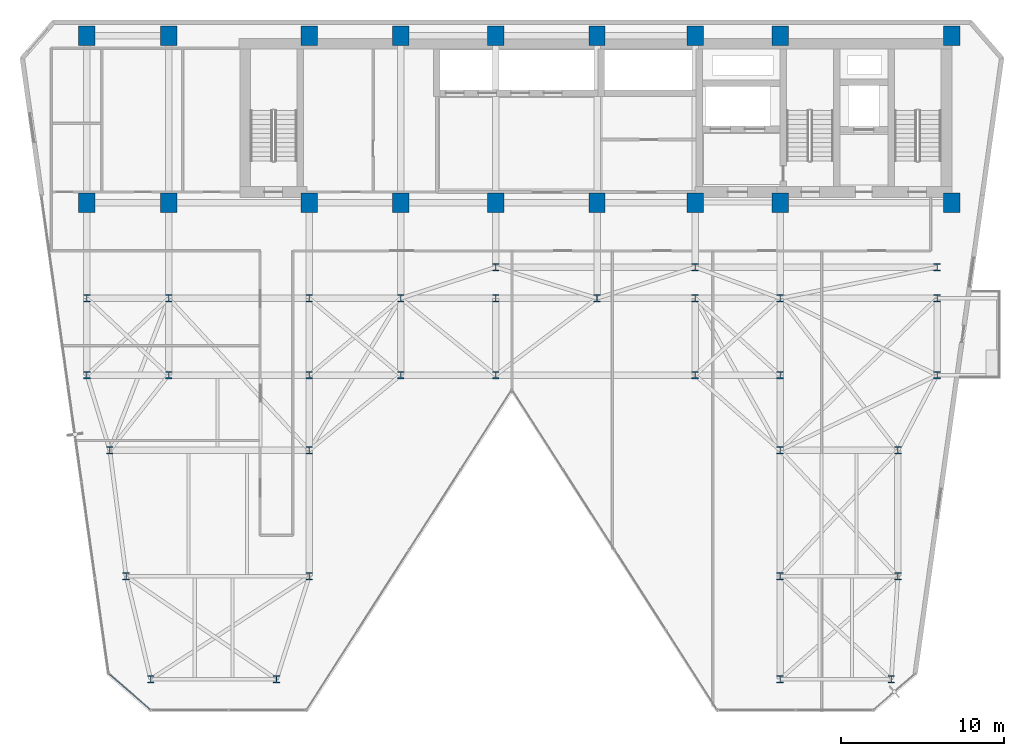
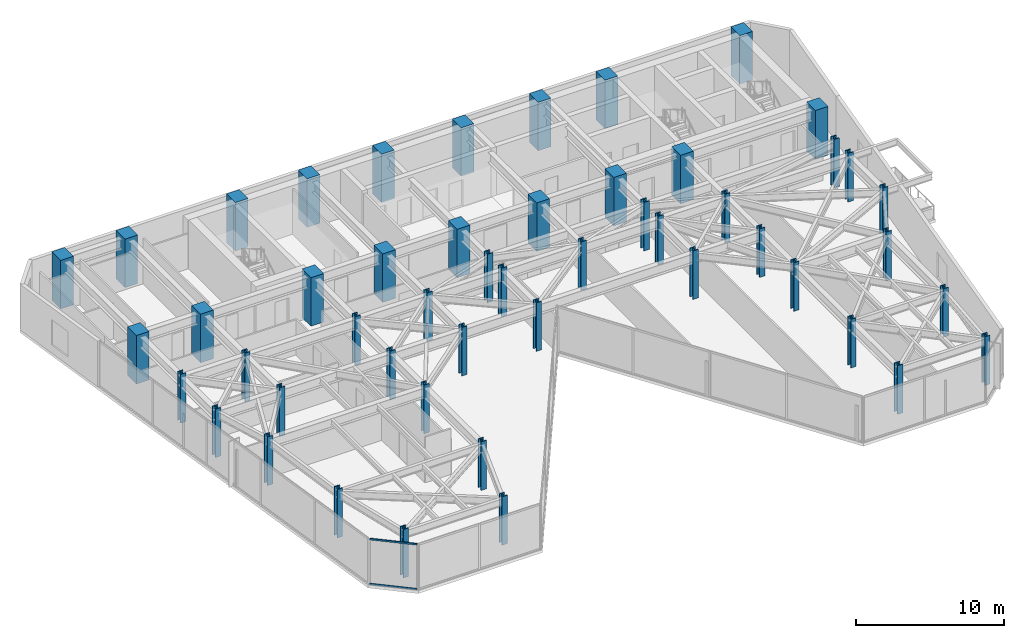
# One storey, part 1 of 26: 50 columns, 2 members, 1 element without a shape of its own.
"""IFC4 building model written with IfcOpenShell, lengths in metres."""

from ifc_helpers import new_model, si_unit, direction, frame, origin, origin_2d, place, context, subcontext, project, spatial, rectangle, hollow_rectangle, i_section, extrude, material, layer, layer_set, material_profile, profile_set, type_object, element, aggregate, save


model = new_model("IFC4")

# Units and contexts
model_context = context("Model", 3, precision=1e-05, world=origin(), true_north=direction((0.0, 1.0)))
body_context = subcontext(model_context, "Body", "Model", "MODEL_VIEW")
ifc_project = project(units=[si_unit("LENGTHUNIT", "METRE"), si_unit("AREAUNIT", "SQUARE_METRE"), si_unit("VOLUMEUNIT", "CUBIC_METRE"), si_unit("PLANEANGLEUNIT", "RADIAN"), si_unit("MASSUNIT", "GRAM", prefix="KILO")], contexts=[model_context])

# Site, building, storey
site_placement = place(None, origin())
site = spatial("IfcSite", under=ifc_project, at=site_placement, CompositionType="ELEMENT")
building_placement = place(site_placement, origin())
building = spatial("IfcBuilding", under=site, at=building_placement, Name="Kravanh Interchange Tower", CompositionType="ELEMENT")
storey_placement = place(building_placement, frame((0.0, 0.0, 140.0)))
storey = spatial("IfcBuildingStorey", under=building, at=storey_placement, Name="L33", CompositionType="ELEMENT", Elevation=140.0)

# Columns
ifc_material_1 = material(Name="Concrete C70/85", Category="concrete")
ifc_material_profile_1 = material_profile(ifc_material_1, rectangle(XDim=1.0, YDim=1.199951171875, at=origin_2d()), Name="RC1000X1200")
ifc_profile_set_1 = profile_set([ifc_material_profile_1], Name="Concrete C70/85")
column_type_1 = type_object("IfcColumnType", Name="Column RC1000X1200 Concrete C70/85", PredefinedType="COLUMN", material=ifc_profile_set_1)
for number, where, z_axis, x_axis, name in (
    (1, (66.5, 47.550048828125, 0.0), (0.0, 0.0, 1.0), (1.0, 0.0, 0.0), "L33 Column CS01"),
    (2, (56.0, 47.550048828125, 0.0), (0.0, 0.0, 1.0), (1.0, 0.0, 0.0), "L33 Column CS02"),
    (3, (66.5, 37.35009765625, 0.0), (0.0, 0.0, 1.0), (1.0, 0.0, 0.0), "L33 Column CS03"),
    (4, (56.0, 37.35009765625, 0.0), (0.0, 0.0, 1.0), (1.0, 0.0, 0.0), "L33 Column CS04"),
    (5, (50.800048828125, 47.550048828125, 0.0), (0.0, 0.0, 1.0), (1.0, 0.0, 0.0), "L33 Column CS05"),
    (6, (50.800048828125, 37.35009765625, 0.0), (0.0, 0.0, 1.0), (1.0, 0.0, 0.0), "L33 Column CS06"),
    (7, (44.800048828125, 37.35009765625, 0.0), (0.0, 0.0, 1.0), (1.0, 0.0, 0.0), "L33 Column CS07"),
    (8, (44.800048828125, 47.550048828125, 0.0), (0.0, 0.0, 1.0), (1.0, 0.0, 0.0), "L33 Column CS08"),
    (9, (38.60009765625, 37.35009765625, 0.0), (0.0, 0.0, 1.0), (1.0, 0.0, 0.0), "L33 Column CS09"),
    (10, (38.60009765625, 47.550048828125, 0.0), (0.0, 0.0, 1.0), (1.0, 0.0, 0.0), "L33 Column CS10"),
    (11, (32.800048828125, 37.35009765625, 0.0), (0.0, 0.0, 1.0), (1.0, 0.0, 0.0), "L33 Column CS11"),
    (12, (32.800048828125, 47.550048828125, 0.0), (0.0, 0.0, 1.0), (1.0, 0.0, 0.0), "L33 Column CS12"),
    (13, (27.199951171875, 37.35009765625, 0.0), (0.0, 0.0, 1.0), (1.0, 0.0, 0.0), "L33 Column CS13"),
    (14, (27.199951171875, 47.550048828125, 0.0), (0.0, 0.0, 1.0), (1.0, 0.0, 0.0), "L33 Column CS14"),
    (15, (18.60009765625, 37.35009765625, 0.0), (0.0, 0.0, 1.0), (1.0, 0.0, 0.0), "L33 Column CS17"),
    (16, (18.60009765625, 47.550048828125, 0.0), (0.0, 0.0, 1.0), (1.0, 0.0, 0.0), "L33 Column CS18"),
    (17, (13.60009765625, 37.35009765625, 0.0), (0.0, 0.0, 1.0), (1.0, 0.0, 0.0), "L33 Column CS19"),
    (18, (13.60009765625, 47.550048828125, 0.0), (0.0, 0.0, 1.0), (1.0, 0.0, 0.0), "L33 Column CS20"),
):
    element("IfcColumn", number, at=place(storey_placement, frame(where, z_axis=z_axis, x_axis=x_axis)), inside=storey, type_object=column_type_1, Name=name, PredefinedType="COLUMN", context=body_context, shape_type="SweptSolid", body=[
        extrude(rectangle(XDim=1.0, YDim=1.199951171875, at=origin_2d()), origin(), (0.0, 0.0, 1.0), 4.0),
    ])
ifc_material_2 = material(Name="Structural Steel S355", Category="steel")
ifc_material_profile_2 = material_profile(ifc_material_2, i_section(OverallWidth=0.416015625, OverallDepth=0.446044921875, WebThickness=0.0390625, FlangeThickness=0.062744140625, FilletRadius=0.030029296875, at=origin_2d()), Name="W14X342")
ifc_profile_set_2 = profile_set([ifc_material_profile_2], Name="Structural Steel S355")
column_type_2 = type_object("IfcColumnType", Name="Column W14X342 Structural Steel S355", PredefinedType="COLUMN", material=ifc_profile_set_2)
for number, where, z_axis, x_axis, name in (
    (19, (17.5, 8.199951171875, 0.0), (0.0, 0.0, 1.0), (1.0, 0.0, 0.0), "L33 Column CZ2_1"),
    (20, (13.60009765625, 26.800048828125, 0.0), (0.0, 0.0, 1.0), (1.0, 0.0, 0.0), "L33 Column CZ2_11"),
    (21, (18.60009765625, 26.800048828125, 0.0), (0.0, 0.0, 1.0), (1.0, 0.0, 0.0), "L33 Column CZ2_12"),
    (22, (27.199951171875, 26.800048828125, 0.0), (0.0, 0.0, 1.0), (1.0, 0.0, 0.0), "L33 Column CZ2_13"),
    (23, (32.800048828125, 26.800048828125, 0.0), (0.0, 0.0, 1.0), (1.0, 0.0, 0.0), "L33 Column CZ2_14"),
    (24, (38.60009765625, 26.800048828125, 0.0), (0.0, 0.0, 1.0), (1.0, 0.0, 0.0), "L33 Column CZ2_14B"),
    (25, (50.800048828125, 26.800048828125, 0.0), (0.0, 0.0, 1.0), (1.0, 0.0, 0.0), "L33 Column CZ2_15"),
    (26, (56.0, 26.800048828125, 0.0), (0.0, 0.0, 1.0), (1.0, 0.0, 0.0), "L33 Column CZ2_16"),
    (27, (65.60009765625, 26.800048828125, 0.0), (0.0, 0.0, 1.0), (1.0, 0.0, 0.0), "L33 Column CZ2_17"),
    (28, (13.60009765625, 31.5, 0.0), (0.0, 0.0, 1.0), (1.0, 0.0, 0.0), "L33 Column CZ2_18"),
    (29, (18.60009765625, 31.5, 0.0), (0.0, 0.0, 1.0), (1.0, 0.0, 0.0), "L33 Column CZ2_18B"),
    (30, (27.199951171875, 31.5, 0.0), (0.0, 0.0, 1.0), (1.0, 0.0, 0.0), "L33 Column CZ2_19"),
    (31, (25.199951171875, 8.199951171875, 0.0), (0.0, 0.0, 1.0), (1.0, 0.0, 0.0), "L33 Column CZ2_2"),
    (32, (32.800048828125, 31.5, 0.0), (0.0, 0.0, 1.0), (1.0, 0.0, 0.0), "L33 Column CZ2_20"),
    (33, (38.60009765625, 31.5, 0.0), (0.0, 0.0, 1.0), (1.0, 0.0, 0.0), "L33 Column CZ2_21"),
    (34, (44.800048828125, 31.5, 0.0), (0.0, 0.0, 1.0), (1.0, 0.0, 0.0), "L33 Column CZ2_22"),
    (35, (50.800048828125, 31.5, 0.0), (0.0, 0.0, 1.0), (1.0, 0.0, 0.0), "L33 Column CZ2_23"),
    (36, (56.0, 31.5, 0.0), (0.0, 0.0, 1.0), (1.0, 0.0, 0.0), "L33 Column CZ2_24"),
    (37, (65.60009765625, 31.5, 0.0), (0.0, 0.0, 1.0), (1.0, 0.0, 0.0), "L33 Column CZ2_25"),
    (38, (56.0, 8.199951171875, 0.0), (0.0, 0.0, 1.0), (1.0, 0.0, 0.0), "L33 Column CZ2_3"),
    (39, (62.800048828125, 8.199951171875, 0.0), (0.0, 0.0, 1.0), (1.0, 0.0, 0.0), "L33 Column CZ2_4"),
    (40, (16.0, 14.5, 0.0), (0.0, 0.0, 1.0), (1.0, 0.0, 0.0), "L33 Column CZ2_5"),
    (41, (27.199951171875, 14.5, 0.0), (0.0, 0.0, 1.0), (1.0, 0.0, 0.0), "L33 Column CZ2_5B"),
    (42, (56.0, 14.5, 0.0), (0.0, 0.0, 1.0), (1.0, 0.0, 0.0), "L33 Column CZ2_5C"),
    (43, (63.199951171875, 14.5, 0.0), (0.0, 0.0, 1.0), (1.0, 0.0, 0.0), "L33 Column CZ2_5D"),
    (44, (15.0, 22.199951171875, 0.0), (0.0, 0.0, 1.0), (1.0, 0.0, 0.0), "L33 Column CZ2_6"),
    (45, (27.199951171875, 22.199951171875, 0.0), (0.0, 0.0, 1.0), (1.0, 0.0, 0.0), "L33 Column CZ2_7"),
    (46, (56.0, 22.199951171875, 0.0), (0.0, 0.0, 1.0), (1.0, 0.0, 0.0), "L33 Column CZ2_8"),
    (47, (63.199951171875, 22.199951171875, 0.0), (0.0, 0.0, 1.0), (1.0, 0.0, 0.0), "L33 Column CZ2_9"),
    (48, (38.60009765625, 33.39990234375, 0.0), (0.0, 0.0, 1.0), (1.0, 0.0, 0.0), "L33 Column CZ2_M1"),
    (49, (50.800048828125, 33.39990234375, 0.0), (0.0, 0.0, 1.0), (1.0, 0.0, 0.0), "L33 Column CZ2_M2"),
    (50, (65.60009765625, 33.39990234375, 0.0), (0.0, 0.0, 1.0), (1.0, 0.0, 0.0), "L33 Column CZ2_M3"),
):
    element("IfcColumn", number, at=place(storey_placement, frame(where, z_axis=z_axis, x_axis=x_axis)), inside=storey, type_object=column_type_2, Name=name, PredefinedType="COLUMN", context=body_context, shape_type="SweptSolid", body=[
        extrude(i_section(OverallWidth=0.416015625, OverallDepth=0.446044921875, WebThickness=0.0390625, FlangeThickness=0.062744140625, FilletRadius=0.030029296875, at=origin_2d()), origin(), (0.0, 0.0, 1.0), 4.0),
    ])

# Curtain wall, members
ifc_material_3 = material(Name="Anodised Bronze Aluminium", Category="aluminium")
ifc_layer = layer(ifc_material_3, 0.179931640625)
ifc_layer_set = layer_set([ifc_layer], Name="Unitised Curtain Wall System CW-Z2 Mid Office")
curtain_wall_type = type_object("IfcCurtainWallType", Name="Unitised Curtain Wall System CW-Z2 Mid Office", PredefinedType="NOTDEFINED", material=ifc_layer_set)
curtain_wall_placement = place(storey_placement, origin())
curtain_wall = element("IfcCurtainWall", 51, at=curtain_wall_placement, inside=storey, type_object=curtain_wall_type, Name="L33 Unitised Curtain Wall CW-L33-07", PredefinedType="NOTDEFINED")
ifc_material_4 = material(Name="Anodised Bronze Aluminium", Category="aluminium")
ifc_material_profile_3 = material_profile(ifc_material_4, hollow_rectangle(XDim=0.06005859375, YDim=0.139892578125, WallThickness=0.00390625, at=origin_2d()), Name="ALU60X140X4")
ifc_profile_set_3 = profile_set([ifc_material_profile_3], Name="Anodised Bronze Aluminium")
member_type = type_object("IfcMemberType", Name="Curtain Wall Transom ALU60X140X4 Bronze", PredefinedType="USERDEFINED", material=ifc_profile_set_3)
member_1_placement = place(storey_placement, frame((17.444580078125, 6.359375, 0.030029296875), z_axis=(-0.754742467432, 0.656021194669, 0.0), x_axis=(-0.656021194669, -0.754742467432, 0.0)))
member_1 = element("IfcMember", 52, at=member_1_placement, type_object=member_type, Name="CW-Z2 transom 1.1", ObjectType="TRANSOM", PredefinedType="USERDEFINED", context=body_context, shape_type="SweptSolid", body=[
    extrude(hollow_rectangle(XDim=0.06005859375, YDim=0.139892578125, WallThickness=0.00390625, at=origin_2d()), origin(), (0.0, 0.0, 1.0), 3.261962890625),
])
member_2_placement = place(storey_placement, frame((17.444580078125, 6.359375, 3.719970703125), z_axis=(-0.754742467432, 0.656021194669, 0.0), x_axis=(-0.656021194669, -0.754742467432, 0.0)))
member_2 = element("IfcMember", 53, at=member_2_placement, type_object=member_type, Name="CW-Z2 transom 1.2", ObjectType="TRANSOM", PredefinedType="USERDEFINED", context=body_context, shape_type="SweptSolid", body=[
    extrude(hollow_rectangle(XDim=0.06005859375, YDim=0.139892578125, WallThickness=0.00390625, at=origin_2d()), origin(), (0.0, 0.0, 1.0), 3.261962890625),
])
aggregate(curtain_wall, [member_1, member_2])

save(model, "model.ifc")
